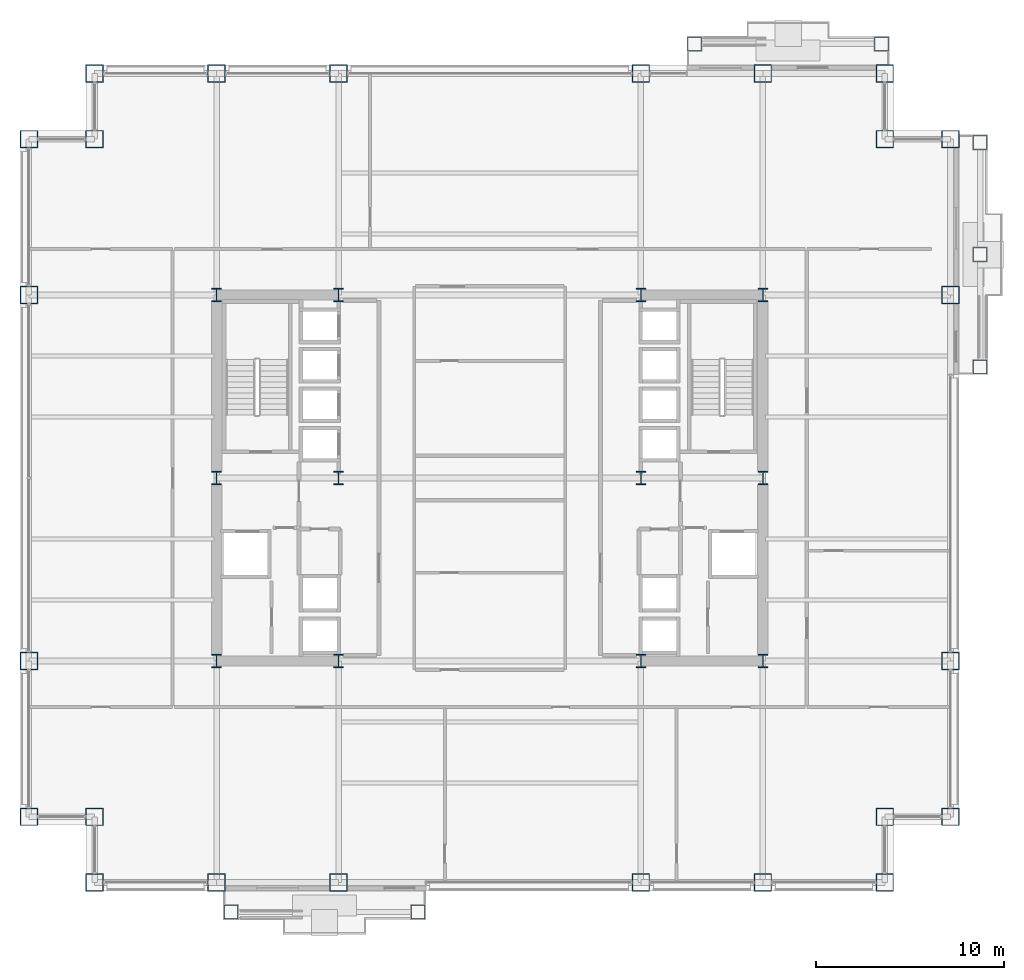
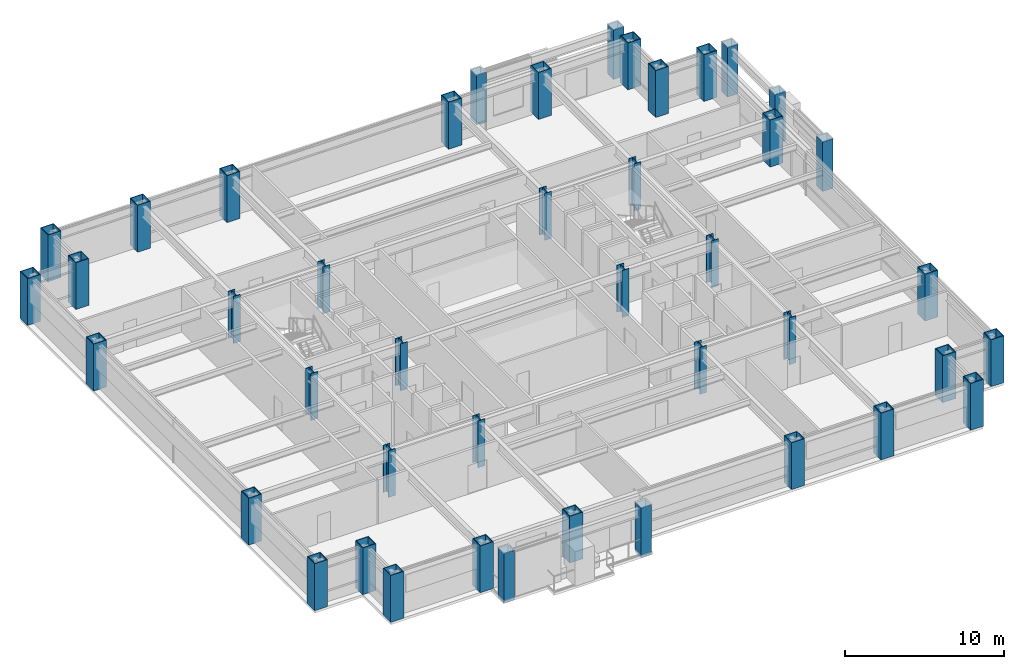
# One storey, part 1 of 31: 43 columns.
"""IFC4 building model written with IfcOpenShell, lengths in metres."""

from ifc_helpers import new_model, si_unit, direction, frame, origin, origin_2d, place, context, subcontext, project, spatial, hollow_rectangle, i_section, extrude, material, material_profile, profile_set, type_object, element, save


model = new_model("IFC4")

# Units and contexts
model_context = context("Model", 3, precision=1e-05, world=origin(), true_north=direction((0.0, 1.0)))
body_context = subcontext(model_context, "Body", "Model", "MODEL_VIEW")
ifc_project = project(units=[si_unit("LENGTHUNIT", "METRE"), si_unit("AREAUNIT", "SQUARE_METRE"), si_unit("VOLUMEUNIT", "CUBIC_METRE"), si_unit("PLANEANGLEUNIT", "RADIAN"), si_unit("MASSUNIT", "GRAM", prefix="KILO")], contexts=[model_context])

# Site, building, storey
site_placement = place(None, origin())
site = spatial("IfcSite", under=ifc_project, at=site_placement, CompositionType="ELEMENT")
building_placement = place(site_placement, origin())
building = spatial("IfcBuilding", under=site, at=building_placement, Name="Brelmoor Portico Tower", CompositionType="ELEMENT")
storey_placement = place(building_placement, frame((0.0, 0.0, 27.60009765625)))
storey = spatial("IfcBuildingStorey", under=building, at=storey_placement, Name="L06", CompositionType="ELEMENT", Elevation=27.60009765625)

# Columns
ifc_material_1 = material(Name="Steel Q355B", Category="steel")
ifc_material_profile_1 = material_profile(ifc_material_1, hollow_rectangle(XDim=0.75, YDim=0.75, WallThickness=0.031982421875, at=origin_2d()), Name="BOX 750x750x32")
ifc_profile_set_1 = profile_set([ifc_material_profile_1], Name="Steel Q355B")
column_type_1 = type_object("IfcColumnType", Name="COL-MEGA-750", PredefinedType="COLUMN", material=ifc_profile_set_1)
for number, where, z_axis, x_axis, name in (
    (1, (-13.780029296875, -23.1298828125, -0.2001953125), (0.0, 0.0, 1.0), (1.0, 0.0, 0.0), "L06 Proud Picture-Frame Pier PFJ-S1"),
    (2, (-3.820068359375, -23.1298828125, -0.2001953125), (0.0, 0.0, 1.0), (1.0, 0.0, 0.0), "L06 Proud Picture-Frame Pier PFJ-S2"),
    (3, (10.919921875, 23.1298828125, -0.2001953125), (0.0, 0.0, 1.0), (1.0, 0.0, 0.0), "L06 Proud Picture-Frame Pier PFJ-N1"),
    (4, (20.8798828125, 23.1298828125, -0.2001953125), (0.0, 0.0, 1.0), (1.0, 0.0, 0.0), "L06 Proud Picture-Frame Pier PFJ-N2"),
    (5, (26.1298828125, 5.919921875, -0.2001953125), (0.0, 0.0, 1.0), (0.0, 1.0, 0.0), "L06 Proud Picture-Frame Pier PFJ-E1"),
    (6, (26.1298828125, 17.8798828125, -0.2001953125), (0.0, 0.0, 1.0), (0.0, 1.0, 0.0), "L06 Proud Picture-Frame Pier PFJ-E2"),
    (7, (26.1298828125, 11.89990234375, -0.2001953125), (0.0, 0.0, 1.0), (0.0, 1.0, 0.0), "L06 Proud Picture-Frame Pier PFJ-E3"),
):
    element("IfcColumn", number, at=place(storey_placement, frame(where, z_axis=z_axis, x_axis=x_axis)), inside=storey, type_object=column_type_1, Name=name, PredefinedType="COLUMN", context=body_context, shape_type="SweptSolid", body=[
        extrude(hollow_rectangle(XDim=0.75, YDim=0.75, WallThickness=0.031982421875, at=origin_2d()), origin(), (0.0, 0.0, 1.0), 3.800048828125),
    ])
ifc_material_2 = material(Name="Steel Q420B", Category="steel")
ifc_material_profile_2 = material_profile(ifc_material_2, hollow_rectangle(XDim=0.949951171875, YDim=0.949951171875, WallThickness=0.048095703125, at=origin_2d()), Name="BOX 950x950x48")
ifc_profile_set_2 = profile_set([ifc_material_profile_2], Name="Steel Q420B")
column_type_2 = type_object("IfcColumnType", Name="COL-MEGA-950", PredefinedType="COLUMN", material=ifc_profile_set_2)
for number, where, z_axis, x_axis, name in (
    (8, (-21.050048828125, -21.550048828125, 0.0), (0.0, 0.0, 1.0), (1.0, 0.0, 0.0), "L06 Perimeter Mega-Column PS01"),
    (9, (-14.550048828125, -21.550048828125, 0.0), (0.0, 0.0, 1.0), (1.0, 0.0, 0.0), "L06 Perimeter Mega-Column PS02"),
    (10, (-8.050048828125, -21.550048828125, 0.0), (0.0, 0.0, 1.0), (1.0, 0.0, 0.0), "L06 Perimeter Mega-Column PS03"),
    (11, (8.050048828125, -21.550048828125, 0.0), (0.0, 0.0, 1.0), (1.0, 0.0, 0.0), "L06 Perimeter Mega-Column PS04"),
    (12, (14.550048828125, -21.550048828125, 0.0), (0.0, 0.0, 1.0), (1.0, 0.0, 0.0), "L06 Perimeter Mega-Column PS05"),
    (13, (21.050048828125, -21.550048828125, 0.0), (0.0, 0.0, 1.0), (1.0, 0.0, 0.0), "L06 Perimeter Mega-Column PS06"),
    (14, (-21.050048828125, 21.550048828125, 0.0), (0.0, 0.0, 1.0), (1.0, 0.0, 0.0), "L06 Perimeter Mega-Column PN01"),
    (15, (-14.550048828125, 21.550048828125, 0.0), (0.0, 0.0, 1.0), (1.0, 0.0, 0.0), "L06 Perimeter Mega-Column PN02"),
    (16, (-8.050048828125, 21.550048828125, 0.0), (0.0, 0.0, 1.0), (1.0, 0.0, 0.0), "L06 Perimeter Mega-Column PN03"),
    (17, (8.050048828125, 21.550048828125, 0.0), (0.0, 0.0, 1.0), (1.0, 0.0, 0.0), "L06 Perimeter Mega-Column PN04"),
    (18, (14.550048828125, 21.550048828125, 0.0), (0.0, 0.0, 1.0), (1.0, 0.0, 0.0), "L06 Perimeter Mega-Column PN05"),
    (19, (21.050048828125, 21.550048828125, 0.0), (0.0, 0.0, 1.0), (1.0, 0.0, 0.0), "L06 Perimeter Mega-Column PN06"),
    (20, (-24.550048828125, -18.050048828125, 0.0), (0.0, 0.0, 1.0), (0.0, 1.0, 0.0), "L06 Perimeter Mega-Column PW01"),
    (21, (-24.550048828125, -9.75, 0.0), (0.0, 0.0, 1.0), (0.0, 1.0, 0.0), "L06 Perimeter Mega-Column PW02"),
    (22, (-24.550048828125, 9.75, 0.0), (0.0, 0.0, 1.0), (0.0, 1.0, 0.0), "L06 Perimeter Mega-Column PW03"),
    (23, (-24.550048828125, 18.050048828125, 0.0), (0.0, 0.0, 1.0), (0.0, 1.0, 0.0), "L06 Perimeter Mega-Column PW04"),
    (24, (24.550048828125, -18.050048828125, 0.0), (0.0, 0.0, 1.0), (0.0, 1.0, 0.0), "L06 Perimeter Mega-Column PE01"),
    (25, (24.550048828125, -9.75, 0.0), (0.0, 0.0, 1.0), (0.0, 1.0, 0.0), "L06 Perimeter Mega-Column PE02"),
    (26, (24.550048828125, 9.75, 0.0), (0.0, 0.0, 1.0), (0.0, 1.0, 0.0), "L06 Perimeter Mega-Column PE03"),
    (27, (24.550048828125, 18.050048828125, 0.0), (0.0, 0.0, 1.0), (0.0, 1.0, 0.0), "L06 Perimeter Mega-Column PE04"),
    (28, (-21.050048828125, 18.050048828125, 0.0), (0.0, 0.0, 1.0), (1.0, 0.0, 0.0), "L06 Perimeter Mega-Column PC-NW"),
    (29, (21.050048828125, 18.050048828125, 0.0), (0.0, 0.0, 1.0), (1.0, 0.0, 0.0), "L06 Perimeter Mega-Column PC-NE"),
    (30, (21.050048828125, -18.050048828125, 0.0), (0.0, 0.0, 1.0), (1.0, 0.0, 0.0), "L06 Perimeter Mega-Column PC-SE"),
    (31, (-21.050048828125, -18.050048828125, 0.0), (0.0, 0.0, 1.0), (1.0, 0.0, 0.0), "L06 Perimeter Mega-Column PC-SW"),
):
    element("IfcColumn", number, at=place(storey_placement, frame(where, z_axis=z_axis, x_axis=x_axis)), inside=storey, type_object=column_type_2, Name=name, PredefinedType="COLUMN", context=body_context, shape_type="SweptSolid", body=[
        extrude(hollow_rectangle(XDim=0.949951171875, YDim=0.949951171875, WallThickness=0.048095703125, at=origin_2d()), origin(), (0.0, 0.0, 1.0), 3.599853515625),
    ])
ifc_material_profile_3 = material_profile(ifc_material_2, i_section(OverallWidth=0.5, OverallDepth=0.699951171875, WebThickness=0.028076171875, FlangeThickness=0.044921875, at=origin_2d()), Name="HW 700x500x28x45")
ifc_profile_set_3 = profile_set([ifc_material_profile_3], Name="Steel Q420B")
column_type_3 = type_object("IfcColumnType", Name="COL-SPINE-700", PredefinedType="COLUMN", material=ifc_profile_set_3)
for number, where, z_axis, x_axis, name in (
    (32, (-14.550048828125, -9.75, 0.0), (0.0, 0.0, 1.0), (1.0, 0.0, 0.0), "L06 Core Spine Column CW-SW"),
    (33, (-14.550048828125, 0.0, 0.0), (0.0, 0.0, 1.0), (1.0, 0.0, 0.0), "L06 Core Spine Column CW-MW"),
    (34, (-14.550048828125, 9.75, 0.0), (0.0, 0.0, 1.0), (1.0, 0.0, 0.0), "L06 Core Spine Column CW-NW"),
    (35, (-8.050048828125, -9.75, 0.0), (0.0, 0.0, 1.0), (1.0, 0.0, 0.0), "L06 Core Spine Column CW-SE"),
    (36, (-8.050048828125, 0.0, 0.0), (0.0, 0.0, 1.0), (1.0, 0.0, 0.0), "L06 Core Spine Column CW-ME"),
    (37, (-8.050048828125, 9.75, 0.0), (0.0, 0.0, 1.0), (1.0, 0.0, 0.0), "L06 Core Spine Column CW-NE"),
    (38, (8.050048828125, -9.75, 0.0), (0.0, 0.0, 1.0), (1.0, 0.0, 0.0), "L06 Core Spine Column CE-SW"),
    (39, (8.050048828125, 0.0, 0.0), (0.0, 0.0, 1.0), (1.0, 0.0, 0.0), "L06 Core Spine Column CE-MW"),
    (40, (8.050048828125, 9.75, 0.0), (0.0, 0.0, 1.0), (1.0, 0.0, 0.0), "L06 Core Spine Column CE-NW"),
    (41, (14.550048828125, -9.75, 0.0), (0.0, 0.0, 1.0), (1.0, 0.0, 0.0), "L06 Core Spine Column CE-SE"),
    (42, (14.550048828125, 0.0, 0.0), (0.0, 0.0, 1.0), (1.0, 0.0, 0.0), "L06 Core Spine Column CE-ME"),
    (43, (14.550048828125, 9.75, 0.0), (0.0, 0.0, 1.0), (1.0, 0.0, 0.0), "L06 Core Spine Column CE-NE"),
):
    element("IfcColumn", number, at=place(storey_placement, frame(where, z_axis=z_axis, x_axis=x_axis)), inside=storey, type_object=column_type_3, Name=name, PredefinedType="COLUMN", context=body_context, shape_type="SweptSolid", body=[
        extrude(i_section(OverallWidth=0.5, OverallDepth=0.699951171875, WebThickness=0.028076171875, FlangeThickness=0.044921875, at=origin_2d()), origin(), (0.0, 0.0, 1.0), 3.599853515625),
    ])

save(model, "model.ifc")
